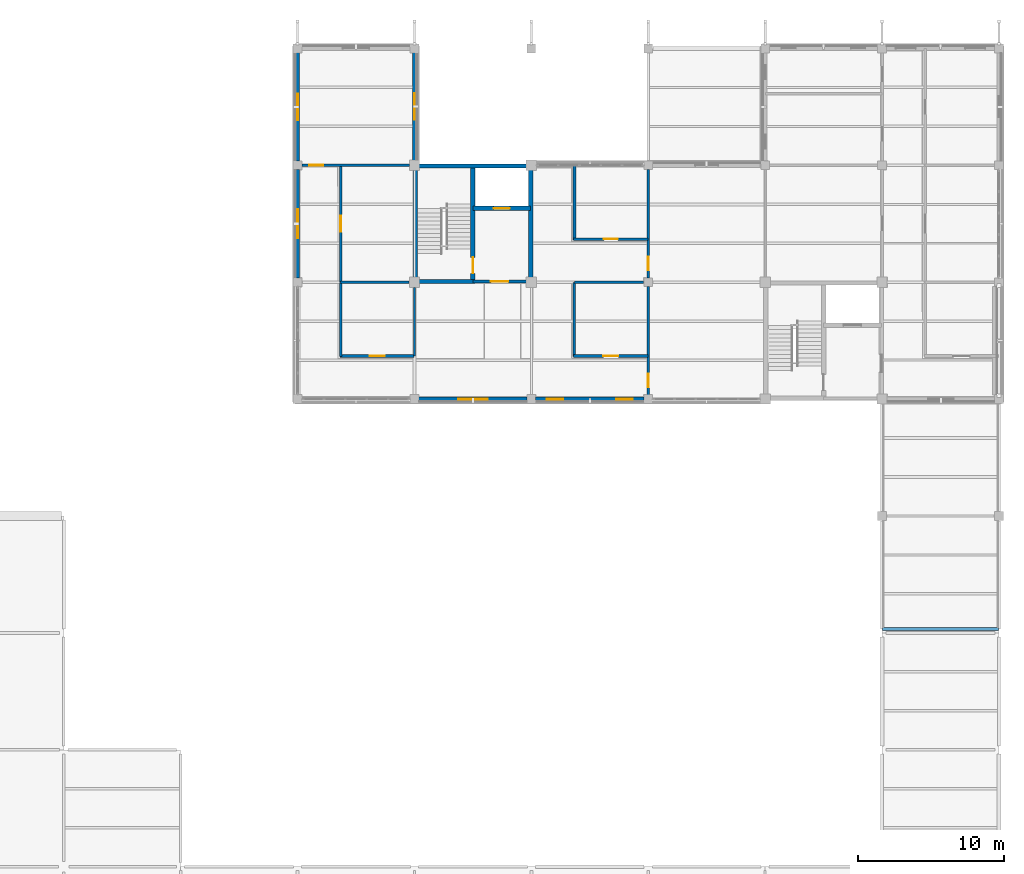
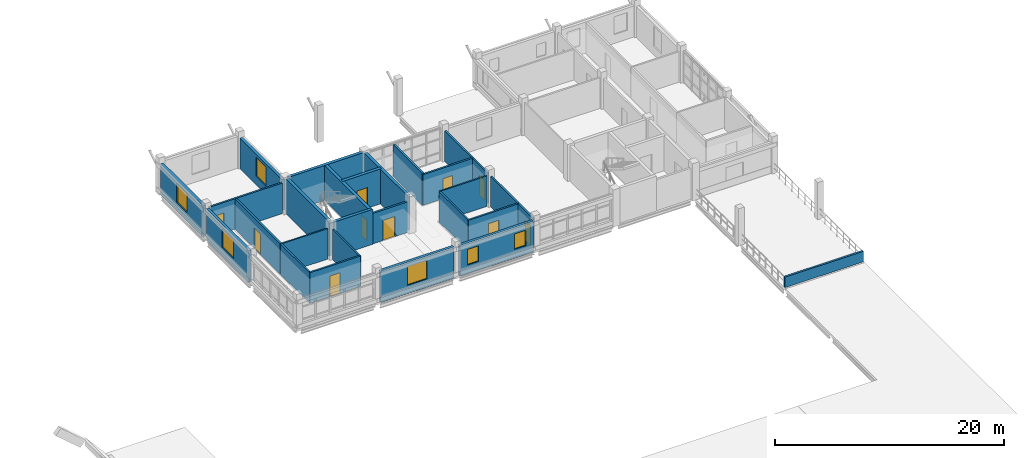
# One storey, part 26 of 35: 26 walls, 10 doors, 6 windows, 16 openings.
"""IFC4 building model written with IfcOpenShell, lengths in metres."""

from ifc_helpers import new_model, si_unit, derived_unit, direction, frame, frame_2d, origin, place, context, subcontext, project, spatial, rectangle, extrude, material, layer, layer_set, type_object, element, fill, save


model = new_model("IFC4")

# Units and contexts
model_context = context("Model", 3, precision=1e-05, world=origin(), true_north=direction((0.0, 1.0)))
body_context = subcontext(model_context, "Body", "Model", "MODEL_VIEW")
ifc_project = project(units=[si_unit("LENGTHUNIT", "METRE"), si_unit("AREAUNIT", "SQUARE_METRE"), si_unit("VOLUMEUNIT", "CUBIC_METRE"), si_unit("PLANEANGLEUNIT", "RADIAN"), si_unit("MASSUNIT", "GRAM", prefix="KILO"), derived_unit("THERMALTRANSMITTANCEUNIT", [(si_unit("MASSUNIT", "GRAM", prefix="KILO"), 1), (si_unit("TIMEUNIT", "SECOND"), -3), (si_unit("THERMODYNAMICTEMPERATUREUNIT", "KELVIN"), -1)])], contexts=[model_context])

# Site, building, storey
site_placement = place(None, origin())
site = spatial("IfcSite", under=ifc_project, at=site_placement, CompositionType="ELEMENT")
building_placement = place(site_placement, origin())
building = spatial("IfcBuilding", under=site, at=building_placement, Name="Veyamyaing Civic Hall", CompositionType="ELEMENT")
storey_placement = place(building_placement, frame((0.0, 0.0, 21.780029296875)))
storey = spatial("IfcBuildingStorey", under=building, at=storey_placement, Name="L05", CompositionType="ELEMENT", Elevation=21.780029296875)

# Wall, opening, window
ifc_material_1 = material(Name="Precast concrete C40/50", Category="concrete")
ifc_layer_1 = layer(ifc_material_1, 0.280029296875, Name="Precast concrete C40/50")
ifc_layer_set_1 = layer_set([ifc_layer_1], Name="Precast concrete C40/50")
wall_type_1 = type_object("IfcWallType", Name="WT-04", PredefinedType="SOLIDWALL", material=ifc_layer_set_1)
wall_1_placement = place(storey_placement, frame((128.0, 96.284912109375, 0.0), z_axis=(0.0, 0.0, 1.0), x_axis=(0.0, 1.0, 0.0)))
wall_1 = element("IfcWall", 1, at=wall_1_placement, inside=storey, type_object=wall_type_1, Name="Exterior facade wall WT-04 L05 W 17.13", PredefinedType="SOLIDWALL", context=body_context, shape_type="SweptSolid", body=[
    extrude(rectangle(XDim=7.43017578125, YDim=0.280029296875, at=frame_2d((3.715087890625, 0.0))), origin(), (0.0, 0.0, 1.0), 3.368896484375),
])
opening_1_placement = place(wall_1_placement, frame((2.715087890625, 0.0, 0.89990234375)))
opening_1 = element("IfcOpeningElement", 2, at=opening_1_placement, cuts=wall_1, Name="Opening W-09", PredefinedType="OPENING", context=body_context, shape_type="SweptSolid", body=[
    extrude(rectangle(XDim=2.0, YDim=2.0, at=frame_2d((1.0, 1.0))), frame((0.0, 0.14990234375, 0.0), z_axis=(0.0, -1.0, 0.0), x_axis=(1.0, 0.0, 0.0)), (0.0, 0.0, 1.0), 0.300048828125),
])
ifc_material_2 = material(Name="Low-E insulated glass", Category="glass")
window_type_1 = type_object("IfcWindowType", Name="W-09", PartitioningType="SINGLE_PANEL", PredefinedType="WINDOW", material=ifc_material_2)
window_1_placement = place(opening_1_placement, origin())
window_1 = element("IfcWindow", 3, at=window_1_placement, inside=storey, type_object=window_type_1, Name="Facade window W-09 L05 W 17.13", OverallHeight=2.0, OverallWidth=2.0, PartitioningType="SINGLE_PANEL", PredefinedType="WINDOW", context=body_context, shape_type="SweptSolid", body=[
    extrude(rectangle(XDim=2.0, YDim=2.0, at=frame_2d((1.0, 1.0))), frame((0.0, 0.030029296875, 0.0), z_axis=(0.0, -1.0, 0.0), x_axis=(1.0, 0.0, 0.0)), (0.0, 0.0, 1.0), 0.06005859375),
])
fill(opening_1, window_1)

wall_2_placement = place(storey_placement, frame((128.0, 104.284912109375, 0.0), z_axis=(0.0, 0.0, 1.0), x_axis=(0.0, 1.0, 0.0)))
wall_2 = element("IfcWall", 4, at=wall_2_placement, inside=storey, type_object=wall_type_1, Name="Exterior facade wall WT-04 L05 W 17.14", PredefinedType="SOLIDWALL", context=body_context, shape_type="SweptSolid", body=[
    extrude(rectangle(XDim=7.43017578125, YDim=0.280029296875, at=frame_2d((3.715087890625, 0.0))), origin(), (0.0, 0.0, 1.0), 3.30908203125),
])
opening_2_placement = place(wall_2_placement, frame((2.81494140625, 0.0, 0.89990234375)))
opening_2 = element("IfcOpeningElement", 5, at=opening_2_placement, cuts=wall_2, Name="Opening W-10", PredefinedType="OPENING", context=body_context, shape_type="SweptSolid", body=[
    extrude(rectangle(XDim=1.800048828125, YDim=2.0, at=frame_2d((0.89990234375, 1.0))), frame((0.0, 0.14990234375, 0.0), z_axis=(0.0, -1.0, 0.0), x_axis=(1.0, 0.0, 0.0)), (0.0, 0.0, 1.0), 0.300048828125),
])
window_type_2 = type_object("IfcWindowType", Name="W-10", PartitioningType="SINGLE_PANEL", PredefinedType="WINDOW", material=ifc_material_2)
window_2_placement = place(opening_2_placement, origin())
window_2 = element("IfcWindow", 6, at=window_2_placement, inside=storey, type_object=window_type_2, Name="Facade window W-10 L05 W 17.14", OverallHeight=2.0, OverallWidth=1.800048828125, PartitioningType="SINGLE_PANEL", PredefinedType="WINDOW", context=body_context, shape_type="SweptSolid", body=[
    extrude(rectangle(XDim=1.800048828125, YDim=2.0, at=frame_2d((0.89990234375, 1.0))), frame((0.0, 0.030029296875, 0.0), z_axis=(0.0, -1.0, 0.0), x_axis=(1.0, 0.0, 0.0)), (0.0, 0.0, 1.0), 0.06005859375),
])
fill(opening_2, window_2)

wall_3_placement = place(storey_placement, frame((136.0, 104.3349609375, 0.0), z_axis=(0.0, 0.0, 1.0), x_axis=(0.0, 1.0, 0.0)))
wall_3 = element("IfcWall", 7, at=wall_3_placement, inside=storey, type_object=wall_type_1, Name="Exterior facade wall WT-04 L05 E 17.14", PredefinedType="SOLIDWALL", context=body_context, shape_type="SweptSolid", body=[
    extrude(rectangle(XDim=7.380126953125, YDim=0.280029296875, at=frame_2d((3.68994140625, 0.0))), origin(), (0.0, 0.0, 1.0), 3.259033203125),
])
opening_3_placement = place(wall_3_placement, frame((2.7900390625, 0.0, 0.89990234375)))
opening_3 = element("IfcOpeningElement", 8, at=opening_3_placement, cuts=wall_3, Name="Opening W-10", PredefinedType="OPENING", context=body_context, shape_type="SweptSolid", body=[
    extrude(rectangle(XDim=1.800048828125, YDim=2.0, at=frame_2d((0.89990234375, 1.0))), frame((0.0, 0.14990234375, 0.0), z_axis=(0.0, -1.0, 0.0), x_axis=(1.0, 0.0, 0.0)), (0.0, 0.0, 1.0), 0.300048828125),
])
window_3_placement = place(opening_3_placement, origin())
window_3 = element("IfcWindow", 9, at=window_3_placement, inside=storey, type_object=window_type_2, Name="Facade window W-10 L05 E 17.14", OverallHeight=2.0, OverallWidth=1.800048828125, PartitioningType="SINGLE_PANEL", PredefinedType="WINDOW", context=body_context, shape_type="SweptSolid", body=[
    extrude(rectangle(XDim=1.800048828125, YDim=2.0, at=frame_2d((0.89990234375, 1.0))), frame((0.0, 0.030029296875, 0.0), z_axis=(0.0, -1.0, 0.0), x_axis=(1.0, 0.0, 0.0)), (0.0, 0.0, 1.0), 0.06005859375),
])
fill(opening_3, window_3)

wall_4_placement = place(storey_placement, frame((136.284912109375, 88.0, 0.0), z_axis=(0.0, 0.0, 1.0), x_axis=(1.0, 0.0, 0.0)))
wall_4 = element("IfcWall", 10, at=wall_4_placement, inside=storey, type_object=wall_type_1, Name="Exterior facade wall WT-04 L05 S 18.12", PredefinedType="SOLIDWALL", context=body_context, shape_type="SweptSolid", body=[
    extrude(rectangle(XDim=7.43017578125, YDim=0.280029296875, at=frame_2d((3.715087890625, 0.0))), origin(), (0.0, 0.0, 1.0), 3.368896484375),
])
opening_4_placement = place(wall_4_placement, frame((2.715087890625, 0.0, 0.89990234375)))
opening_4 = element("IfcOpeningElement", 11, at=opening_4_placement, cuts=wall_4, Name="Opening W-09", PredefinedType="OPENING", context=body_context, shape_type="SweptSolid", body=[
    extrude(rectangle(XDim=2.0, YDim=2.0, at=frame_2d((1.0, 1.0))), frame((0.0, 0.14990234375, 0.0), z_axis=(0.0, -1.0, 0.0), x_axis=(1.0, 0.0, 0.0)), (0.0, 0.0, 1.0), 0.300048828125),
])
window_4_placement = place(opening_4_placement, origin())
window_4 = element("IfcWindow", 12, at=window_4_placement, inside=storey, type_object=window_type_1, Name="Facade window W-09 L05 S 18.12", OverallHeight=2.0, OverallWidth=2.0, PartitioningType="SINGLE_PANEL", PredefinedType="WINDOW", context=body_context, shape_type="SweptSolid", body=[
    extrude(rectangle(XDim=2.0, YDim=2.0, at=frame_2d((1.0, 1.0))), frame((0.0, 0.030029296875, 0.0), z_axis=(0.0, -1.0, 0.0), x_axis=(1.0, 0.0, 0.0)), (0.0, 0.0, 1.0), 0.06005859375),
])
fill(opening_4, window_4)

# Wall, openings, windows
wall_5_placement = place(storey_placement, frame((144.284912109375, 88.0, 0.0), z_axis=(0.0, 0.0, 1.0), x_axis=(1.0, 0.0, 0.0)))
wall_5 = element("IfcWall", 13, at=wall_5_placement, inside=storey, type_object=wall_type_1, Name="Exterior facade wall WT-04 L05 S 19.12", PredefinedType="SOLIDWALL", context=body_context, shape_type="SweptSolid", body=[
    extrude(rectangle(XDim=7.43017578125, YDim=0.280029296875, at=frame_2d((3.715087890625, 0.0))), origin(), (0.0, 0.0, 1.0), 3.30908203125),
])
opening_5_placement = place(wall_5_placement, frame((0.762451171875, 0.0, 0.949951171875)))
opening_5 = element("IfcOpeningElement", 14, at=opening_5_placement, cuts=wall_5, Name="Opening W-32", PredefinedType="OPENING", context=body_context, shape_type="SweptSolid", body=[
    extrude(rectangle(XDim=1.14990234375, YDim=1.64990234375, at=frame_2d((0.574951171875, 0.824951171875))), frame((0.0, 0.14990234375, 0.0), z_axis=(0.0, -1.0, 0.0), x_axis=(1.0, 0.0, 0.0)), (0.0, 0.0, 1.0), 0.300048828125),
])
opening_6_placement = place(wall_5_placement, frame((5.517578125, 0.0, 0.949951171875)))
opening_6 = element("IfcOpeningElement", 15, at=opening_6_placement, cuts=wall_5, Name="Opening W-32", PredefinedType="OPENING", context=body_context, shape_type="SweptSolid", body=[
    extrude(rectangle(XDim=1.14990234375, YDim=1.64990234375, at=frame_2d((0.574951171875, 0.824951171875))), frame((0.0, 0.14990234375, 0.0), z_axis=(0.0, -1.0, 0.0), x_axis=(1.0, 0.0, 0.0)), (0.0, 0.0, 1.0), 0.300048828125),
])
window_type_3 = type_object("IfcWindowType", Name="W-32", PartitioningType="SINGLE_PANEL", PredefinedType="WINDOW", material=ifc_material_2)
window_5_placement = place(opening_5_placement, origin())
window_5 = element("IfcWindow", 16, at=window_5_placement, inside=storey, type_object=window_type_3, Name="Facade window W-32 L05 S 19.12.1", OverallHeight=1.64990234375, OverallWidth=1.14990234375, PartitioningType="SINGLE_PANEL", PredefinedType="WINDOW", context=body_context, shape_type="SweptSolid", body=[
    extrude(rectangle(XDim=1.14990234375, YDim=1.64990234375, at=frame_2d((0.574951171875, 0.824951171875))), frame((0.0, 0.030029296875, 0.0), z_axis=(0.0, -1.0, 0.0), x_axis=(1.0, 0.0, 0.0)), (0.0, 0.0, 1.0), 0.06005859375),
])
fill(opening_5, window_5)
window_6_placement = place(opening_6_placement, origin())
window_6 = element("IfcWindow", 17, at=window_6_placement, inside=storey, type_object=window_type_3, Name="Facade window W-32 L05 S 19.12.2", OverallHeight=1.64990234375, OverallWidth=1.14990234375, PartitioningType="SINGLE_PANEL", PredefinedType="WINDOW", context=body_context, shape_type="SweptSolid", body=[
    extrude(rectangle(XDim=1.14990234375, YDim=1.64990234375, at=frame_2d((0.574951171875, 0.824951171875))), frame((0.0, 0.030029296875, 0.0), z_axis=(0.0, -1.0, 0.0), x_axis=(1.0, 0.0, 0.0)), (0.0, 0.0, 1.0), 0.06005859375),
])
fill(opening_6, window_6)

# Walls
ifc_material_3 = material(Name="Concrete C40/50", Category="concrete")
ifc_layer_2 = layer(ifc_material_3, 0.300048828125, Name="Concrete C40/50")
ifc_layer_set_2 = layer_set([ifc_layer_2], Name="Concrete C40/50")
wall_type_2 = type_object("IfcWallType", Name="WT-05", PredefinedType="SHEAR", material=ifc_layer_set_2)
for number, where, z_axis, x_axis, name in (
    (18, (136.050048828125, 96.239990234375, 0.0), (0.0, 0.0, 1.0), (0.0, 1.0, 0.0), "Core shear wall WT-05 CORE-4 L05.W"),
    (19, (136.239990234375, 103.949951171875, 0.0), (0.0, 0.0, 1.0), (1.0, 0.0, 0.0), "Core shear wall WT-05 CORE-4 L05.N"),
    (20, (143.949951171875, 96.239990234375, 0.0), (0.0, 0.0, 1.0), (0.0, 1.0, 0.0), "Core shear wall WT-05 CORE-4 L05.E"),
):
    element("IfcWall", number, at=place(storey_placement, frame(where, z_axis=z_axis, x_axis=x_axis)), inside=storey, type_object=wall_type_2, Name=name, PredefinedType="SHEAR", context=body_context, shape_type="SweptSolid", body=[
        extrude(rectangle(XDim=7.52001953125, YDim=0.300048828125, at=frame_2d((3.760009765625, 0.0))), origin(), (0.0, 0.0, 1.0), 3.73486328125),
    ])
wall_6_placement = place(storey_placement, frame((136.239990234375, 96.050048828125, 0.0), z_axis=(0.0, 0.0, 1.0), x_axis=(1.0, 0.0, 0.0)))
element("IfcWall", 21, at=wall_6_placement, inside=storey, type_object=wall_type_2, Name="Core shear wall WT-05 CORE-4 L05.SS", PredefinedType="SHEAR", context=body_context, shape_type="SweptSolid", body=[
    extrude(rectangle(XDim=3.909912109375, YDim=0.300048828125, at=frame_2d((1.955078125, 0.0))), origin(), (0.0, 0.0, 1.0), 3.73486328125),
])

# Wall, opening, door
wall_7_placement = place(storey_placement, frame((140.0, 96.050048828125, 0.0), z_axis=(0.0, 0.0, 1.0), x_axis=(0.0, 1.0, 0.0)))
wall_7 = element("IfcWall", 22, at=wall_7_placement, inside=storey, type_object=wall_type_2, Name="Core shear wall WT-05 CORE-4 L05.MID", PredefinedType="SHEAR", context=body_context, shape_type="SweptSolid", body=[
    extrude(rectangle(XDim=7.89990234375, YDim=0.300048828125, at=frame_2d((3.949951171875, 0.0))), origin(), (0.0, 0.0, 1.0), 3.73486328125),
])
opening_7_placement = place(wall_7_placement, frame((0.550048828125, 0.0, 0.0)))
opening_7 = element("IfcOpeningElement", 23, at=opening_7_placement, cuts=wall_7, Name="Opening D-03", PredefinedType="OPENING", context=body_context, shape_type="SweptSolid", body=[
    extrude(rectangle(XDim=1.10009765625, YDim=2.14990234375, at=frame_2d((0.550048828125, 1.074951171875))), frame((0.0, 0.159912109375, 0.0), z_axis=(0.0, -1.0, 0.0), x_axis=(1.0, 0.0, 0.0)), (0.0, 0.0, 1.0), 0.320068359375),
])
ifc_material_4 = material(Name="Galvanized steel S355J2", Category="steel")
door_type_1 = type_object("IfcDoorType", Name="D-03", OperationType="NOTDEFINED", PredefinedType="DOOR", material=ifc_material_4)
door_1_placement = place(opening_7_placement, origin())
door_1 = element("IfcDoor", 24, at=door_1_placement, inside=storey, type_object=door_type_1, Name="Exit stair fire door D-03 ST-04 L05", OperationType="SINGLE_SWING_LEFT", OverallHeight=2.14990234375, OverallWidth=1.10009765625, PredefinedType="DOOR", context=body_context, shape_type="SweptSolid", body=[
    extrude(rectangle(XDim=1.10009765625, YDim=2.14990234375, at=frame_2d((0.550048828125, 1.074951171875))), frame((0.0, 0.02490234375, 0.0), z_axis=(0.0, -1.0, 0.0), x_axis=(1.0, 0.0, 0.0)), (0.0, 0.0, 1.0), 0.050048828125),
])
fill(opening_7, door_1)

wall_8_placement = place(storey_placement, frame((140.0, 101.050048828125, 0.0), z_axis=(0.0, 0.0, 1.0), x_axis=(1.0, 0.0, 0.0)))
wall_8 = element("IfcWall", 25, at=wall_8_placement, inside=storey, type_object=wall_type_2, Name="Core shear wall WT-05 CORE-4 L05.LFT", PredefinedType="SHEAR", context=body_context, shape_type="SweptSolid", body=[
    extrude(rectangle(XDim=3.949951171875, YDim=0.300048828125, at=frame_2d((1.97509765625, 0.0))), origin(), (0.0, 0.0, 1.0), 3.73486328125),
])
opening_8_placement = place(wall_8_placement, frame((1.425048828125, 0.0, 0.0)))
opening_8 = element("IfcOpeningElement", 26, at=opening_8_placement, cuts=wall_8, Name="Opening LD-01", PredefinedType="OPENING", context=body_context, shape_type="SweptSolid", body=[
    extrude(rectangle(XDim=1.10009765625, YDim=2.199951171875, at=frame_2d((0.550048828125, 1.10009765625))), frame((0.0, 0.159912109375, 0.0), z_axis=(0.0, -1.0, 0.0), x_axis=(1.0, 0.0, 0.0)), (0.0, 0.0, 1.0), 0.320068359375),
])
ifc_material_5 = material(Name="Anodised aluminium 6063-T6", Category="aluminium")
door_type_2 = type_object("IfcDoorType", Name="LD-01", OperationType="SLIDING_TO_LEFT", PredefinedType="DOOR", material=ifc_material_5)
door_2_placement = place(opening_8_placement, origin())
door_2 = element("IfcDoor", 27, at=door_2_placement, inside=storey, type_object=door_type_2, Name="Lift sliding landing door LD-01 PL-02 L05", OperationType="SLIDING_TO_LEFT", OverallHeight=2.199951171875, OverallWidth=1.10009765625, PredefinedType="DOOR", context=body_context, shape_type="SweptSolid", body=[
    extrude(rectangle(XDim=1.10009765625, YDim=2.199951171875, at=frame_2d((0.550048828125, 1.10009765625))), frame((0.0, 0.02490234375, 0.0), z_axis=(0.0, -1.0, 0.0), x_axis=(1.0, 0.0, 0.0)), (0.0, 0.0, 1.0), 0.050048828125),
])
fill(opening_8, door_2)

ifc_layer_3 = layer(ifc_material_3, 0.199951171875, Name="Concrete C40/50")
ifc_layer_set_3 = layer_set([ifc_layer_3], Name="Concrete C40/50")
wall_type_3 = type_object("IfcWallType", Name="WT-06", PredefinedType="PARTITIONING", material=ifc_layer_set_3)
wall_9_placement = place(storey_placement, frame((140.0, 96.050048828125, 0.0), z_axis=(0.0, 0.0, 1.0), x_axis=(1.0, 0.0, 0.0)))
wall_9 = element("IfcWall", 28, at=wall_9_placement, inside=storey, type_object=wall_type_3, Name="Firefighting lift lobby wall WT-06 CORE-4 L05", PredefinedType="PARTITIONING", context=body_context, shape_type="SweptSolid", body=[
    extrude(rectangle(XDim=3.659912109375, YDim=0.199951171875, at=frame_2d((1.830078125, 0.0))), origin(), (0.0, 0.0, 1.0), 3.262939453125),
])
opening_9_placement = place(wall_9_placement, frame((1.22998046875, 0.0, 0.0)))
opening_9 = element("IfcOpeningElement", 29, at=opening_9_placement, cuts=wall_9, Name="Opening D-04", PredefinedType="OPENING", context=body_context, shape_type="SweptSolid", body=[
    extrude(rectangle(XDim=1.199951171875, YDim=2.14990234375, at=frame_2d((0.60009765625, 1.074951171875))), frame((0.0, 0.10986328125, 0.0), z_axis=(0.0, -1.0, 0.0), x_axis=(1.0, 0.0, 0.0)), (0.0, 0.0, 1.0), 0.219970703125),
])
door_type_3 = type_object("IfcDoorType", Name="D-04", OperationType="NOTDEFINED", PredefinedType="DOOR", material=ifc_material_4)
door_3_placement = place(opening_9_placement, frame((1.199951171875, 0.0, 0.0), z_axis=(0.0, 0.0, 1.0), x_axis=(-1.0, 0.0, 0.0)))
door_3 = element("IfcDoor", 30, at=door_3_placement, inside=storey, type_object=door_type_3, Name="Protected lobby fire door D-04 CORE-4 L05", OperationType="SINGLE_SWING_RIGHT", OverallHeight=2.14990234375, OverallWidth=1.199951171875, PredefinedType="DOOR", context=body_context, shape_type="SweptSolid", body=[
    extrude(rectangle(XDim=1.199951171875, YDim=2.14990234375, at=frame_2d((0.60009765625, 1.074951171875))), frame((0.0, 0.02490234375, 0.0), z_axis=(0.0, -1.0, 0.0), x_axis=(1.0, 0.0, 0.0)), (0.0, 0.0, 1.0), 0.050048828125),
])
fill(opening_9, door_3)

ifc_material_6 = material(Name="Gypsum board on acoustic steel stud", Category="steel")
ifc_layer_4 = layer(ifc_material_6, 0.175048828125, Name="Gypsum board on acoustic steel stud")
ifc_layer_set_4 = layer_set([ifc_layer_4], Name="Gypsum board on acoustic steel stud")
wall_type_4 = type_object("IfcWallType", Name="WT-07", PredefinedType="PARTITIONING", material=ifc_layer_set_4)
wall_10_placement = place(storey_placement, frame((130.89990234375, 90.949951171875, 0.0), z_axis=(0.0, 0.0, 1.0), x_axis=(1.0, 0.0, 0.0)))
wall_10 = element("IfcWall", 31, at=wall_10_placement, inside=storey, type_object=wall_type_4, Name="Corridor gallery partition WT-07 L05.7.1", PredefinedType="PARTITIONING", context=body_context, shape_type="SweptSolid", body=[
    extrude(rectangle(XDim=5.080078125, YDim=0.175048828125, at=frame_2d((2.5400390625, 0.0))), origin(), (0.0, 0.0, 1.0), 3.258056640625),
])
opening_10_placement = place(wall_10_placement, frame((2.030029296875, 0.0, 0.0)))
opening_10 = element("IfcOpeningElement", 32, at=opening_10_placement, cuts=wall_10, Name="Opening D-19", PredefinedType="OPENING", context=body_context, shape_type="SweptSolid", body=[
    extrude(rectangle(XDim=1.02001953125, YDim=2.199951171875, at=frame_2d((0.510009765625, 1.10009765625))), frame((0.0, 0.097412109375, 0.0), z_axis=(0.0, -1.0, 0.0), x_axis=(1.0, 0.0, 0.0)), (0.0, 0.0, 1.0), 0.195068359375),
])
ifc_material_7 = material(Name="Teak-veneered acoustic timber", Category="wood")
door_type_4 = type_object("IfcDoorType", Name="D-19", OperationType="NOTDEFINED", PredefinedType="DOOR", material=ifc_material_7)
door_4_placement = place(opening_10_placement, origin())
door_4 = element("IfcDoor", 33, at=door_4_placement, inside=storey, type_object=door_type_4, Name="Gallery office door D-19 L05.7", OperationType="SINGLE_SWING_LEFT", OverallHeight=2.199951171875, OverallWidth=1.02001953125, PredefinedType="DOOR", context=body_context, shape_type="SweptSolid", body=[
    extrude(rectangle(XDim=1.02001953125, YDim=2.199951171875, at=frame_2d((0.510009765625, 1.10009765625))), frame((0.0, 0.02490234375, 0.0), z_axis=(0.0, -1.0, 0.0), x_axis=(1.0, 0.0, 0.0)), (0.0, 0.0, 1.0), 0.050048828125),
])
fill(opening_10, door_4)

# Wall
wall_11_placement = place(storey_placement, frame((130.949951171875, 90.89990234375, 0.0), z_axis=(0.0, 0.0, 1.0), x_axis=(0.0, 1.0, 0.0)))
element("IfcWall", 34, at=wall_11_placement, inside=storey, type_object=wall_type_4, Name="Corridor gallery partition WT-07 L05.7.2", PredefinedType="PARTITIONING", context=body_context, shape_type="SweptSolid", body=[
    extrude(rectangle(XDim=5.080078125, YDim=0.175048828125, at=frame_2d((2.5400390625, 0.0))), origin(), (0.0, 0.0, 1.0), 3.251953125),
])

# Wall, opening, door
wall_12_placement = place(storey_placement, frame((146.89990234375, 90.949951171875, 0.0), z_axis=(0.0, 0.0, 1.0), x_axis=(1.0, 0.0, 0.0)))
wall_12 = element("IfcWall", 35, at=wall_12_placement, inside=storey, type_object=wall_type_4, Name="Corridor gallery partition WT-07 L05.9.1", PredefinedType="PARTITIONING", context=body_context, shape_type="SweptSolid", body=[
    extrude(rectangle(XDim=5.080078125, YDim=0.175048828125, at=frame_2d((2.5400390625, 0.0))), origin(), (0.0, 0.0, 1.0), 3.251953125),
])
opening_11_placement = place(wall_12_placement, frame((2.02001953125, 0.0, 0.0)))
opening_11 = element("IfcOpeningElement", 36, at=opening_11_placement, cuts=wall_12, Name="Opening D-24", PredefinedType="OPENING", context=body_context, shape_type="SweptSolid", body=[
    extrude(rectangle(XDim=1.0400390625, YDim=2.179931640625, at=frame_2d((0.52001953125, 1.08984375))), frame((0.0, 0.097412109375, 0.0), z_axis=(0.0, -1.0, 0.0), x_axis=(1.0, 0.0, 0.0)), (0.0, 0.0, 1.0), 0.195068359375),
])
door_type_5 = type_object("IfcDoorType", Name="D-24", OperationType="NOTDEFINED", PredefinedType="DOOR", material=ifc_material_7)
door_5_placement = place(opening_11_placement, origin())
door_5 = element("IfcDoor", 37, at=door_5_placement, inside=storey, type_object=door_type_5, Name="Gallery office door D-24 L05.9", OperationType="SINGLE_SWING_LEFT", OverallHeight=2.179931640625, OverallWidth=1.0400390625, PredefinedType="DOOR", context=body_context, shape_type="SweptSolid", body=[
    extrude(rectangle(XDim=1.0400390625, YDim=2.179931640625, at=frame_2d((0.52001953125, 1.08984375))), frame((0.0, 0.02490234375, 0.0), z_axis=(0.0, -1.0, 0.0), x_axis=(1.0, 0.0, 0.0)), (0.0, 0.0, 1.0), 0.050048828125),
])
fill(opening_11, door_5)

# Wall
wall_13_placement = place(storey_placement, frame((146.949951171875, 90.89990234375, 0.0), z_axis=(0.0, 0.0, 1.0), x_axis=(0.0, 1.0, 0.0)))
element("IfcWall", 38, at=wall_13_placement, inside=storey, type_object=wall_type_4, Name="Corridor gallery partition WT-07 L05.9.2", PredefinedType="PARTITIONING", context=body_context, shape_type="SweptSolid", body=[
    extrude(rectangle(XDim=5.080078125, YDim=0.175048828125, at=frame_2d((2.5400390625, 0.0))), origin(), (0.0, 0.0, 1.0), 3.2509765625),
])

# Wall, opening, door
wall_14_placement = place(storey_placement, frame((128.2900390625, 104.0, 0.0), z_axis=(0.0, 0.0, 1.0), x_axis=(1.0, 0.0, 0.0)))
wall_14 = element("IfcWall", 39, at=wall_14_placement, inside=storey, type_object=wall_type_4, Name="Interior partition wall WT-07 L05.9", PredefinedType="PARTITIONING", context=body_context, shape_type="SweptSolid", body=[
    extrude(rectangle(XDim=7.369873046875, YDim=0.175048828125, at=frame_2d((3.68505859375, 0.0))), origin(), (0.0, 0.0, 1.0), 3.258056640625),
])
opening_12_placement = place(wall_14_placement, frame((0.52001953125, 0.0, 0.0)))
opening_12 = element("IfcOpeningElement", 40, at=opening_12_placement, cuts=wall_14, Name="Opening D-30", PredefinedType="OPENING", context=body_context, shape_type="SweptSolid", body=[
    extrude(rectangle(XDim=0.93994140625, YDim=2.1201171875, at=frame_2d((0.469970703125, 1.06005859375))), frame((0.0, 0.097412109375, 0.0), z_axis=(0.0, -1.0, 0.0), x_axis=(1.0, 0.0, 0.0)), (0.0, 0.0, 1.0), 0.195068359375),
])
door_type_6 = type_object("IfcDoorType", Name="D-30", OperationType="NOTDEFINED", PredefinedType="DOOR", material=ifc_material_7)
door_6_placement = place(opening_12_placement, origin())
door_6 = element("IfcDoor", 41, at=door_6_placement, inside=storey, type_object=door_type_6, Name="Interior door D-30 L05.9", OperationType="SINGLE_SWING_RIGHT", OverallHeight=2.1201171875, OverallWidth=0.93994140625, PredefinedType="DOOR", context=body_context, shape_type="SweptSolid", body=[
    extrude(rectangle(XDim=0.93994140625, YDim=2.1201171875, at=frame_2d((0.469970703125, 1.06005859375))), frame((0.0, 0.02490234375, 0.0), z_axis=(0.0, -1.0, 0.0), x_axis=(1.0, 0.0, 0.0)), (0.0, 0.0, 1.0), 0.050048828125),
])
fill(opening_12, door_6)

wall_15_placement = place(storey_placement, frame((152.0, 96.2900390625, 0.0), z_axis=(0.0, 0.0, 1.0), x_axis=(0.0, 1.0, 0.0)))
wall_15 = element("IfcWall", 42, at=wall_15_placement, inside=storey, type_object=wall_type_4, Name="Interior partition wall WT-07 L05.11", PredefinedType="PARTITIONING", context=body_context, shape_type="SweptSolid", body=[
    extrude(rectangle(XDim=7.419921875, YDim=0.175048828125, at=frame_2d((3.7099609375, 0.0))), origin(), (0.0, 0.0, 1.0), 3.262939453125),
])
opening_13_placement = place(wall_15_placement, frame((0.52001953125, 0.0, 0.0)))
opening_13 = element("IfcOpeningElement", 43, at=opening_13_placement, cuts=wall_15, Name="Opening D-30", PredefinedType="OPENING", context=body_context, shape_type="SweptSolid", body=[
    extrude(rectangle(XDim=0.93994140625, YDim=2.1201171875, at=frame_2d((0.469970703125, 1.06005859375))), frame((0.0, 0.097412109375, 0.0), z_axis=(0.0, -1.0, 0.0), x_axis=(1.0, 0.0, 0.0)), (0.0, 0.0, 1.0), 0.195068359375),
])
door_7_placement = place(opening_13_placement, frame((0.93994140625, 0.0, 0.0), z_axis=(0.0, 0.0, 1.0), x_axis=(-1.0, 0.0, 0.0)))
door_7 = element("IfcDoor", 44, at=door_7_placement, inside=storey, type_object=door_type_6, Name="Interior door D-30 L05.11", OperationType="SINGLE_SWING_RIGHT", OverallHeight=2.1201171875, OverallWidth=0.93994140625, PredefinedType="DOOR", context=body_context, shape_type="SweptSolid", body=[
    extrude(rectangle(XDim=0.93994140625, YDim=2.1201171875, at=frame_2d((0.469970703125, 1.06005859375))), frame((0.0, 0.02490234375, 0.0), z_axis=(0.0, -1.0, 0.0), x_axis=(1.0, 0.0, 0.0)), (0.0, 0.0, 1.0), 0.050048828125),
])
fill(opening_13, door_7)

# Walls
ifc_material_8 = material(Name="Gypsum board on steel stud", Category="steel")
ifc_layer_5 = layer(ifc_material_8, 0.14990234375, Name="Gypsum board on steel stud")
ifc_layer_set_5 = layer_set([ifc_layer_5], Name="Gypsum board on steel stud")
wall_type_5 = type_object("IfcWallType", Name="WT-08", PredefinedType="PARTITIONING", material=ifc_layer_set_5)
wall_16_placement = place(storey_placement, frame((130.949951171875, 96.0, 0.0), z_axis=(0.0, 0.0, 1.0), x_axis=(1.0, 0.0, 0.0)))
element("IfcWall", 45, at=wall_16_placement, inside=storey, type_object=wall_type_5, Name="Gallery office end partition WT-08 L05.7.1", PredefinedType="PARTITIONING", context=body_context, shape_type="SweptSolid", body=[
    extrude(rectangle(XDim=4.68994140625, YDim=0.14990234375, at=frame_2d((2.344970703125, 0.0))), origin(), (0.0, 0.0, 1.0), 3.251953125),
])
wall_17_placement = place(storey_placement, frame((136.0, 90.949951171875, 0.0), z_axis=(0.0, 0.0, 1.0), x_axis=(0.0, 1.0, 0.0)))
element("IfcWall", 46, at=wall_17_placement, inside=storey, type_object=wall_type_5, Name="Gallery office end partition WT-08 L05.7.2", PredefinedType="PARTITIONING", context=body_context, shape_type="SweptSolid", body=[
    extrude(rectangle(XDim=4.68994140625, YDim=0.14990234375, at=frame_2d((2.344970703125, 0.0))), origin(), (0.0, 0.0, 1.0), 3.258056640625),
])
wall_18_placement = place(storey_placement, frame((146.949951171875, 96.0, 0.0), z_axis=(0.0, 0.0, 1.0), x_axis=(1.0, 0.0, 0.0)))
element("IfcWall", 47, at=wall_18_placement, inside=storey, type_object=wall_type_5, Name="Gallery office end partition WT-08 L05.9.1", PredefinedType="PARTITIONING", context=body_context, shape_type="SweptSolid", body=[
    extrude(rectangle(XDim=4.739990234375, YDim=0.14990234375, at=frame_2d((2.3701171875, 0.0))), origin(), (0.0, 0.0, 1.0), 3.2509765625),
])
ifc_layer_6 = layer(ifc_material_1, 0.195068359375, Name="Precast concrete C40/50")
ifc_layer_set_6 = layer_set([ifc_layer_6], Name="Precast concrete C40/50")
wall_type_6 = type_object("IfcWallType", Name="WT-12", PredefinedType="PARAPET", material=ifc_layer_set_6)
wall_19_placement = place(storey_placement, frame((168.0400390625, 72.260009765625, 0.0), z_axis=(0.0, 0.0, 1.0), x_axis=(1.0, 0.0, 0.0)))
element("IfcWall", 48, at=wall_19_placement, inside=storey, type_object=wall_type_6, Name="Terrace divider parapet WT-12 L05.2", PredefinedType="PARAPET", context=body_context, shape_type="SweptSolid", body=[
    extrude(rectangle(XDim=7.919921875, YDim=0.195068359375, at=frame_2d((3.9599609375, 0.0))), origin(), (0.0, 0.0, 1.0), 1.119873046875),
])

# Wall, opening, door
ifc_material_9 = material(Name="Gypsum board on double acoustic stud")
ifc_layer_7 = layer(ifc_material_9, 0.18505859375, Name="Gypsum board on double acoustic stud")
ifc_layer_set_7 = layer_set([ifc_layer_7], Name="Gypsum board on double acoustic stud")
wall_type_7 = type_object("IfcWallType", Name="WT-19", PredefinedType="PARTITIONING", material=ifc_layer_set_7)
wall_20_placement = place(storey_placement, frame((130.949951171875, 96.02001953125, 0.0), z_axis=(0.0, 0.0, 1.0), x_axis=(0.0, 1.0, 0.0)))
wall_20 = element("IfcWall", 49, at=wall_20_placement, inside=storey, type_object=wall_type_7, Name="Corridor gallery partition WT-19 L05.8.1", PredefinedType="PARTITIONING", context=body_context, shape_type="SweptSolid", body=[
    extrude(rectangle(XDim=7.9599609375, YDim=0.18505859375, at=frame_2d((3.97998046875, 0.0))), origin(), (0.0, 0.0, 1.0), 3.251953125),
])
opening_14_placement = place(wall_20_placement, frame((3.43994140625, 0.0, 0.0)))
opening_14 = element("IfcOpeningElement", 50, at=opening_14_placement, cuts=wall_20, Name="Opening D-23", PredefinedType="OPENING", context=body_context, shape_type="SweptSolid", body=[
    extrude(rectangle(XDim=1.080078125, YDim=2.199951171875, at=frame_2d((0.5400390625, 1.10009765625))), frame((0.0, 0.1025390625, 0.0), z_axis=(0.0, -1.0, 0.0), x_axis=(1.0, 0.0, 0.0)), (0.0, 0.0, 1.0), 0.205078125),
])
door_type_7 = type_object("IfcDoorType", Name="D-23", OperationType="NOTDEFINED", PredefinedType="DOOR", material=ifc_material_7)
door_8_placement = place(opening_14_placement, frame((1.080078125, 0.0, 0.0), z_axis=(0.0, 0.0, 1.0), x_axis=(-1.0, 0.0, 0.0)))
door_8 = element("IfcDoor", 51, at=door_8_placement, inside=storey, type_object=door_type_7, Name="Gallery office door D-23 L05.8", OperationType="SINGLE_SWING_RIGHT", OverallHeight=2.199951171875, OverallWidth=1.080078125, PredefinedType="DOOR", context=body_context, shape_type="SweptSolid", body=[
    extrude(rectangle(XDim=1.080078125, YDim=2.199951171875, at=frame_2d((0.5400390625, 1.10009765625))), frame((0.0, 0.02490234375, 0.0), z_axis=(0.0, -1.0, 0.0), x_axis=(1.0, 0.0, 0.0)), (0.0, 0.0, 1.0), 0.050048828125),
])
fill(opening_14, door_8)

wall_21_placement = place(storey_placement, frame((146.89990234375, 98.949951171875, 0.0), z_axis=(0.0, 0.0, 1.0), x_axis=(1.0, 0.0, 0.0)))
wall_21 = element("IfcWall", 52, at=wall_21_placement, inside=storey, type_object=wall_type_7, Name="Corridor gallery partition WT-19 L05.10.1", PredefinedType="PARTITIONING", context=body_context, shape_type="SweptSolid", body=[
    extrude(rectangle(XDim=5.080078125, YDim=0.18505859375, at=frame_2d((2.5400390625, 0.0))), origin(), (0.0, 0.0, 1.0), 3.262939453125),
])
opening_15_placement = place(wall_21_placement, frame((2.06005859375, 0.0, 0.0)))
opening_15 = element("IfcOpeningElement", 53, at=opening_15_placement, cuts=wall_21, Name="Opening D-25", PredefinedType="OPENING", context=body_context, shape_type="SweptSolid", body=[
    extrude(rectangle(XDim=0.9599609375, YDim=2.139892578125, at=frame_2d((0.47998046875, 1.06982421875))), frame((0.0, 0.1025390625, 0.0), z_axis=(0.0, -1.0, 0.0), x_axis=(1.0, 0.0, 0.0)), (0.0, 0.0, 1.0), 0.205078125),
])
door_type_8 = type_object("IfcDoorType", Name="D-25", OperationType="NOTDEFINED", PredefinedType="DOOR", material=ifc_material_7)
door_9_placement = place(opening_15_placement, origin())
door_9 = element("IfcDoor", 54, at=door_9_placement, inside=storey, type_object=door_type_8, Name="Gallery office door D-25 L05.10", OperationType="SINGLE_SWING_RIGHT", OverallHeight=2.139892578125, OverallWidth=0.9599609375, PredefinedType="DOOR", context=body_context, shape_type="SweptSolid", body=[
    extrude(rectangle(XDim=0.9599609375, YDim=2.139892578125, at=frame_2d((0.47998046875, 1.06982421875))), frame((0.0, 0.02490234375, 0.0), z_axis=(0.0, -1.0, 0.0), x_axis=(1.0, 0.0, 0.0)), (0.0, 0.0, 1.0), 0.050048828125),
])
fill(opening_15, door_9)

# Wall
wall_22_placement = place(storey_placement, frame((146.949951171875, 98.89990234375, 0.0), z_axis=(0.0, 0.0, 1.0), x_axis=(0.0, 1.0, 0.0)))
element("IfcWall", 55, at=wall_22_placement, inside=storey, type_object=wall_type_7, Name="Corridor gallery partition WT-19 L05.10.2", PredefinedType="PARTITIONING", context=body_context, shape_type="SweptSolid", body=[
    extrude(rectangle(XDim=5.080078125, YDim=0.18505859375, at=frame_2d((2.5400390625, 0.0))), origin(), (0.0, 0.0, 1.0), 3.4140625),
])

# Wall, opening, door
wall_23_placement = place(storey_placement, frame((152.0, 88.2900390625, 0.0), z_axis=(0.0, 0.0, 1.0), x_axis=(0.0, 1.0, 0.0)))
wall_23 = element("IfcWall", 56, at=wall_23_placement, inside=storey, type_object=wall_type_7, Name="Interior partition wall WT-19 L05.10", PredefinedType="PARTITIONING", context=body_context, shape_type="SweptSolid", body=[
    extrude(rectangle(XDim=7.419921875, YDim=0.18505859375, at=frame_2d((3.7099609375, 0.0))), origin(), (0.0, 0.0, 1.0), 3.251953125),
])
opening_16_placement = place(wall_23_placement, frame((0.52001953125, 0.0, 0.0)))
opening_16 = element("IfcOpeningElement", 57, at=opening_16_placement, cuts=wall_23, Name="Opening D-30", PredefinedType="OPENING", context=body_context, shape_type="SweptSolid", body=[
    extrude(rectangle(XDim=0.93994140625, YDim=2.1201171875, at=frame_2d((0.469970703125, 1.06005859375))), frame((0.0, 0.1025390625, 0.0), z_axis=(0.0, -1.0, 0.0), x_axis=(1.0, 0.0, 0.0)), (0.0, 0.0, 1.0), 0.205078125),
])
door_10_placement = place(opening_16_placement, frame((0.93994140625, 0.0, 0.0), z_axis=(0.0, 0.0, 1.0), x_axis=(-1.0, 0.0, 0.0)))
door_10 = element("IfcDoor", 58, at=door_10_placement, inside=storey, type_object=door_type_6, Name="Interior door D-30 L05.10", OperationType="SINGLE_SWING_LEFT", OverallHeight=2.1201171875, OverallWidth=0.93994140625, PredefinedType="DOOR", context=body_context, shape_type="SweptSolid", body=[
    extrude(rectangle(XDim=0.93994140625, YDim=2.1201171875, at=frame_2d((0.469970703125, 1.06005859375))), frame((0.0, 0.02490234375, 0.0), z_axis=(0.0, -1.0, 0.0), x_axis=(1.0, 0.0, 0.0)), (0.0, 0.0, 1.0), 0.050048828125),
])
fill(opening_16, door_10)

save(model, "model.ifc")
